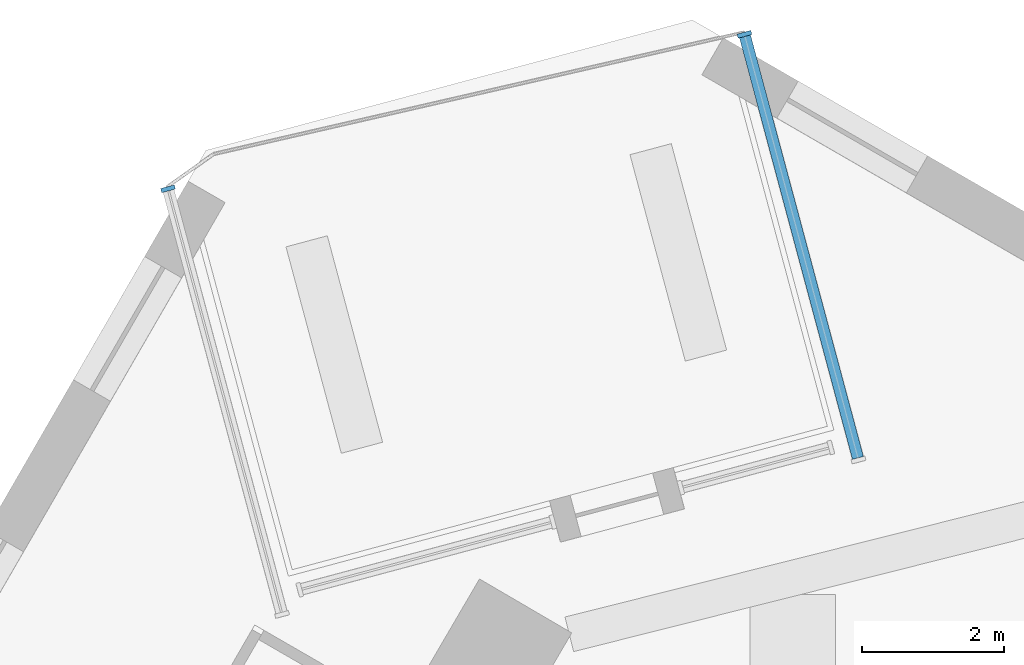
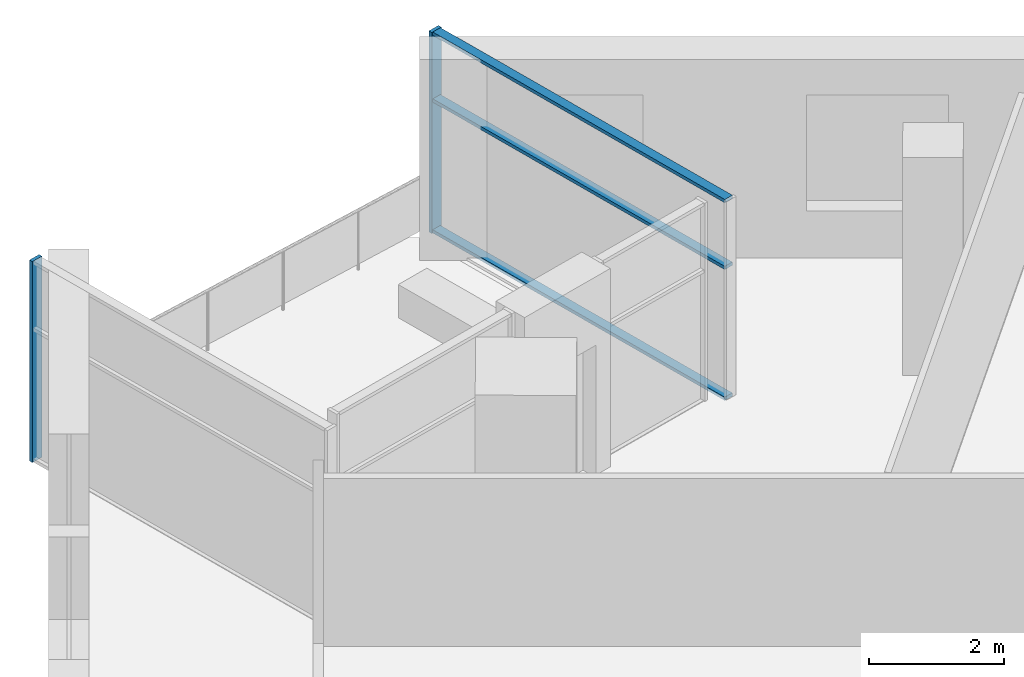
# One storey, part 4 of 13: 5 members, 2 elements without a shape of their own.
"""IFC4 building model written with IfcOpenShell, lengths in metres."""

from ifc_helpers import new_model, si_unit, direction, frame, origin, origin_2d, place, context, subcontext, project, spatial, rectangle, extrude, material, material_profile, profile_set, type_object, element, aggregate, save


model = new_model("IFC4")

# Units and contexts
model_context = context("Model", 3, precision=1e-05, world=origin(), true_north=direction((0.0, 1.0)))
body_context = subcontext(model_context, "Body", "Model", "MODEL_VIEW")
ifc_project = project(units=[si_unit("LENGTHUNIT", "METRE"), si_unit("AREAUNIT", "SQUARE_METRE"), si_unit("VOLUMEUNIT", "CUBIC_METRE"), si_unit("PLANEANGLEUNIT", "RADIAN"), si_unit("MASSUNIT", "GRAM", prefix="KILO")], contexts=[model_context])

# Site, building, storey
site_placement = place(None, origin())
site = spatial("IfcSite", under=ifc_project, at=site_placement, CompositionType="ELEMENT")
building_placement = place(site_placement, origin())
building = spatial("IfcBuilding", under=site, at=building_placement, Name="Dilmun Exchange Tower", CompositionType="ELEMENT")
storey_placement = place(building_placement, frame((0.0, 0.0, 266.89990234375)))
storey = spatial("IfcBuildingStorey", under=building, at=storey_placement, Name="L63", CompositionType="ELEMENT", Elevation=266.89990234375)

# Curtain wall, member
ifc_material_1 = material(Name="Anodised aluminium and clear glass", Category="aluminium")
curtain_wall_type = type_object("IfcCurtainWallType", Name="Garden corner glazing", PredefinedType="NOTDEFINED", material=ifc_material_1)
curtain_wall_1_placement = place(storey_placement, origin())
curtain_wall_1 = element("IfcCurtainWall", 1, at=curtain_wall_1_placement, inside=storey, type_object=curtain_wall_type, Name="Garden corner glazing run GC1.1", PredefinedType="NOTDEFINED")
ifc_material_2 = material(Name="Anodised aluminium", Category="aluminium")
ifc_material_profile_1 = material_profile(ifc_material_2, rectangle(XDim=0.199951171875, YDim=0.06005859375, at=origin_2d()), Name="AL 60x200")
ifc_profile_set_1 = profile_set([ifc_material_profile_1], Name="Anodised aluminium")
member_type_1 = type_object("IfcMemberType", Name="Garden corner glazing mullion 60 x 200", PredefinedType="MULLION", material=ifc_profile_set_1)
member_1_placement = place(storey_placement, frame((-0.464111328125, 35.12939453125, 0.0), z_axis=(0.0, 0.0, 1.0), x_axis=(0.965925756145, 0.258819306883, 0.0)))
member_1 = element("IfcMember", 2, at=member_1_placement, type_object=member_type_1, Name="GC1.1 mullion 1", PredefinedType="MULLION", context=body_context, shape_type="SweptSolid", body=[
    extrude(rectangle(XDim=0.199951171875, YDim=0.06005859375, at=origin_2d()), origin(), (0.0, 0.0, 1.0), 3.64013671875),
])

curtain_wall_2_placement = place(storey_placement, origin())
curtain_wall_2 = element("IfcCurtainWall", 3, at=curtain_wall_2_placement, inside=storey, type_object=curtain_wall_type, Name="Garden corner glazing run GC3.1", PredefinedType="NOTDEFINED")
member_2_placement = place(storey_placement, frame((-8.556884765625, 32.9609375, 0.0), z_axis=(0.0, 0.0, 1.0), x_axis=(-0.965925756145, -0.258819306883, 0.0)))
member_2 = element("IfcMember", 4, at=member_2_placement, type_object=member_type_1, Name="GC3.1 mullion 2", PredefinedType="MULLION", context=body_context, shape_type="SweptSolid", body=[
    extrude(rectangle(XDim=0.199951171875, YDim=0.06005859375, at=origin_2d()), origin(), (0.0, 0.0, 1.0), 3.64013671875),
])
aggregate(curtain_wall_2, [member_2])

# Member
ifc_material_profile_2 = material_profile(ifc_material_2, rectangle(XDim=0.159912109375, YDim=0.06005859375, at=origin_2d()), Name="AL 60x160")
ifc_profile_set_2 = profile_set([ifc_material_profile_2], Name="Anodised aluminium")
member_type_2 = type_object("IfcMemberType", Name="Garden corner glazing transom 60 x 160", PredefinedType="USERDEFINED", material=ifc_profile_set_2)
member_3_placement = place(storey_placement, frame((-0.456298828125, 35.100341796875, 0.030029296875), z_axis=(0.258798500814, -0.96593133088, 0.0), x_axis=(0.96593133088, 0.258798500814, 0.0)))
member_3 = element("IfcMember", 5, at=member_3_placement, type_object=member_type_2, Name="GC1.1 transom 1.1", ObjectType="TRANSOM", PredefinedType="USERDEFINED", context=body_context, shape_type="SweptSolid", body=[
    extrude(rectangle(XDim=0.159912109375, YDim=0.06005859375, at=origin_2d()), origin(), (0.0, 0.0, 1.0), 6.126220703125),
])

member_4_placement = place(storey_placement, frame((-0.456298828125, 35.100341796875, 2.400146484375), z_axis=(0.258798500814, -0.96593133088, 0.0), x_axis=(0.96593133088, 0.258798500814, 0.0)))
member_4 = element("IfcMember", 6, at=member_4_placement, type_object=member_type_2, Name="GC1.1 transom 1.2", ObjectType="TRANSOM", PredefinedType="USERDEFINED", context=body_context, shape_type="SweptSolid", body=[
    extrude(rectangle(XDim=0.159912109375, YDim=0.06005859375, at=origin_2d()), origin(), (0.0, 0.0, 1.0), 6.126220703125),
])

member_5_placement = place(storey_placement, frame((-0.456298828125, 35.100341796875, 3.610107421875), z_axis=(0.258798500814, -0.96593133088, 0.0), x_axis=(0.96593133088, 0.258798500814, 0.0)))
member_5 = element("IfcMember", 7, at=member_5_placement, type_object=member_type_2, Name="GC1.1 transom 1.3", ObjectType="TRANSOM", PredefinedType="USERDEFINED", context=body_context, shape_type="SweptSolid", body=[
    extrude(rectangle(XDim=0.159912109375, YDim=0.06005859375, at=origin_2d()), origin(), (0.0, 0.0, 1.0), 6.126220703125),
])

aggregate(curtain_wall_1, [member_1, member_3, member_4, member_5])

save(model, "model.ifc")
